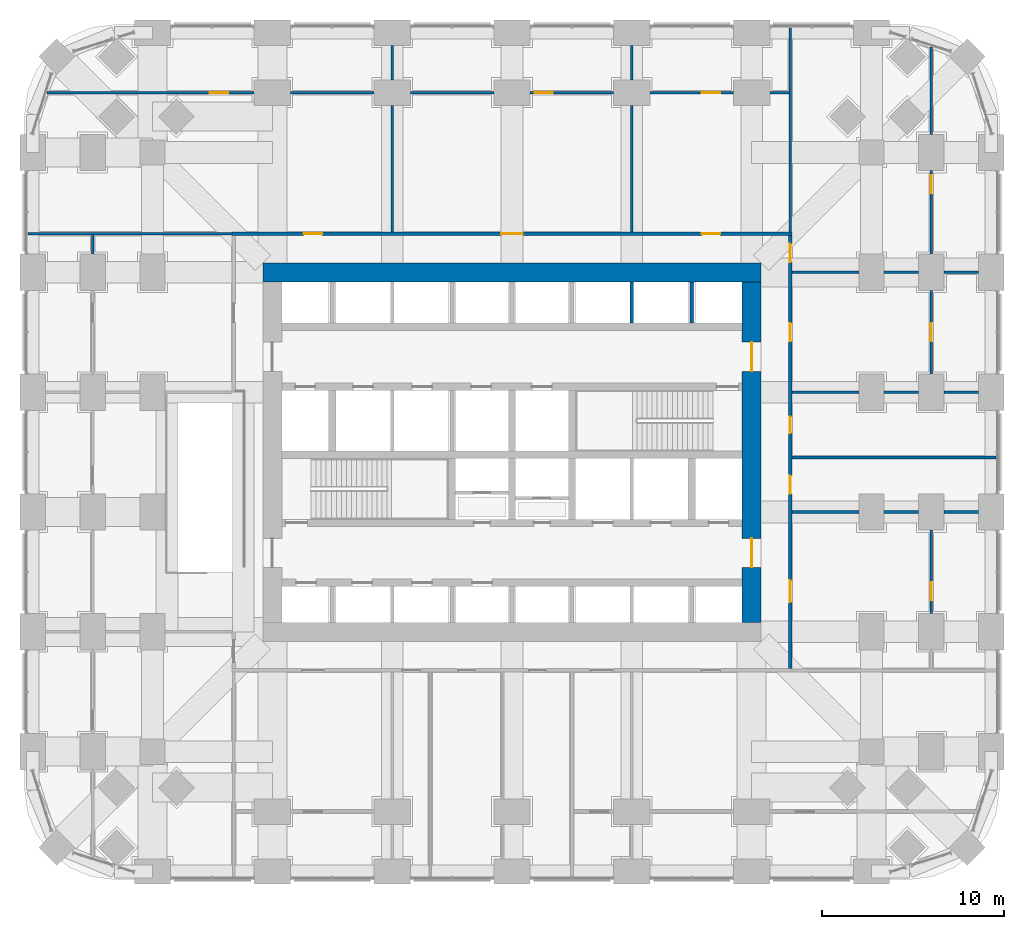
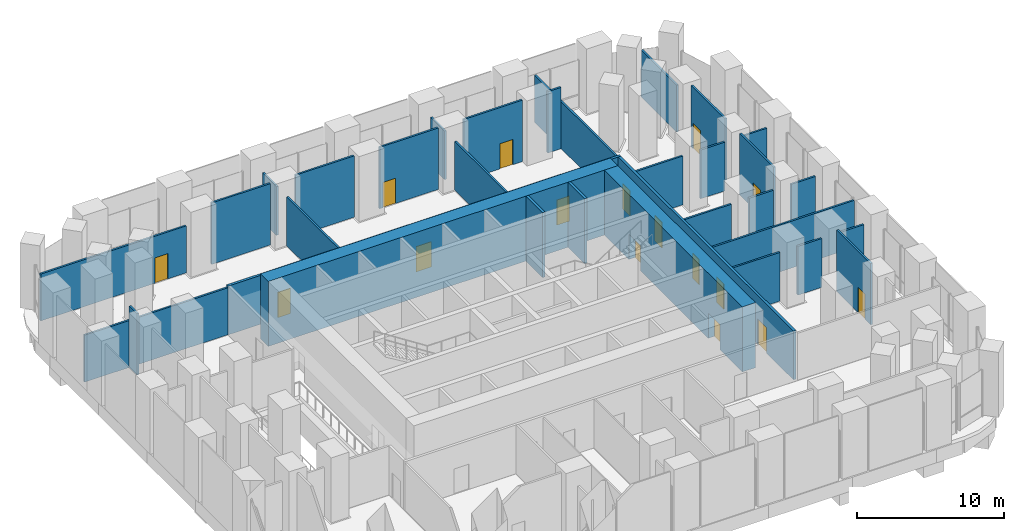
# One storey, part 13 of 17: 33 walls, 16 doors, 16 openings.
"""IFC4 building model written with IfcOpenShell, lengths in metres."""

from ifc_helpers import new_model, si_unit, direction, frame, frame_2d, origin, place, context, subcontext, project, spatial, rectangle, extrude, material, layer, layer_set, type_object, element, fill, save


model = new_model("IFC4")

# Units and contexts
model_context = context("Model", 3, precision=1e-05, world=origin(), true_north=direction((0.0, 1.0)))
body_context = subcontext(model_context, "Body", "Model", "MODEL_VIEW")
ifc_project = project(units=[si_unit("LENGTHUNIT", "METRE"), si_unit("AREAUNIT", "SQUARE_METRE"), si_unit("VOLUMEUNIT", "CUBIC_METRE"), si_unit("PLANEANGLEUNIT", "RADIAN"), si_unit("MASSUNIT", "GRAM", prefix="KILO")], contexts=[model_context])

# Site, building, storey
site_placement = place(None, origin())
site = spatial("IfcSite", under=ifc_project, at=site_placement, CompositionType="ELEMENT")
building_placement = place(site_placement, origin())
building = spatial("IfcBuilding", under=site, at=building_placement, Name="Cobogo Forest Laboratory Tower", CompositionType="ELEMENT")
storey_placement = place(building_placement, frame((0.0, 0.0, 7.199951171875)))
storey = spatial("IfcBuildingStorey", under=building, at=storey_placement, Name="L01", CompositionType="ELEMENT", Elevation=7.199951171875)

# Wall, openings, doors
ifc_material_1 = material(Name="Concrete HA-50 (C50/60)", Category="concrete")
ifc_layer_1 = layer(ifc_material_1, 1.050048828125)
ifc_layer_set_1 = layer_set([ifc_layer_1], Name="CW1050 core outer wall 1050")
wall_type_1 = type_object("IfcWallType", Name="CW1050 core outer wall 1050", PredefinedType="SHEAR", material=ifc_layer_set_1)
wall_1_placement = place(storey_placement, frame((39.60009765625, 13.72509765625, 0.0), z_axis=(0.0, 0.0, 1.0), x_axis=(0.0, 1.0, 0.0)))
wall_1 = element("IfcWall", 1, at=wall_1_placement, inside=storey, type_object=wall_type_1, Name="Core wall CO-E L01", PredefinedType="SHEAR", context=body_context, shape_type="SweptSolid", body=[
    extrude(rectangle(XDim=18.75, YDim=1.050048828125, at=frame_2d((9.375, 0.0))), origin(), (0.0, 0.0, 1.0), 5.400146484375),
])
opening_1_placement = place(wall_1_placement, frame((3.02490234375, 0.0, 0.0)))
opening_1 = element("IfcOpeningElement", 2, at=opening_1_placement, cuts=wall_1, Name="Opening L01-D15", PredefinedType="OPENING", context=body_context, shape_type="SweptSolid", body=[
    extrude(rectangle(XDim=1.60009765625, YDim=2.10009765625, at=frame_2d((0.800048828125, 1.050048828125))), frame((0.0, 0.534912109375, 0.0), z_axis=(0.0, -1.0, 0.0), x_axis=(1.0, 0.0, 0.0)), (0.0, 0.0, 1.0), 1.070068359375),
])
opening_2_placement = place(wall_1_placement, frame((13.824951171875, 0.0, 0.0)))
opening_2 = element("IfcOpeningElement", 3, at=opening_2_placement, cuts=wall_1, Name="Opening L01-D26", PredefinedType="OPENING", context=body_context, shape_type="SweptSolid", body=[
    extrude(rectangle(XDim=1.60009765625, YDim=2.10009765625, at=frame_2d((0.800048828125, 1.050048828125))), frame((0.0, 0.534912109375, 0.0), z_axis=(0.0, -1.0, 0.0), x_axis=(1.0, 0.0, 0.0)), (0.0, 0.0, 1.0), 1.070068359375),
])
ifc_material_2 = material(Name="Steel fire door", Category="steel")
door_type_1 = type_object("IfcDoorType", Name="DS2 protected lobby door pair 1600 EI2 60", OperationType="DOUBLE_DOOR_DOUBLE_SWING", PredefinedType="DOOR", material=ifc_material_2)
door_1_placement = place(opening_1_placement, origin())
door_1 = element("IfcDoor", 4, at=door_1_placement, inside=storey, type_object=door_type_1, Name="Door L01-CO-E-S", OperationType="DOUBLE_DOOR_DOUBLE_SWING", OverallHeight=2.10009765625, OverallWidth=1.60009765625, PredefinedType="DOOR", context=body_context, shape_type="SweptSolid", body=[
    extrude(rectangle(XDim=1.60009765625, YDim=2.10009765625, at=frame_2d((0.800048828125, 1.050048828125))), frame((0.0, 0.02490234375, 0.0), z_axis=(0.0, -1.0, 0.0), x_axis=(1.0, 0.0, 0.0)), (0.0, 0.0, 1.0), 0.050048828125),
])
fill(opening_1, door_1)
door_2_placement = place(opening_2_placement, origin())
door_2 = element("IfcDoor", 5, at=door_2_placement, inside=storey, type_object=door_type_1, Name="Door L01-CO-E-N", OperationType="DOUBLE_DOOR_DOUBLE_SWING", OverallHeight=2.10009765625, OverallWidth=1.60009765625, PredefinedType="DOOR", context=body_context, shape_type="SweptSolid", body=[
    extrude(rectangle(XDim=1.60009765625, YDim=2.10009765625, at=frame_2d((0.800048828125, 1.050048828125))), frame((0.0, 0.02490234375, 0.0), z_axis=(0.0, -1.0, 0.0), x_axis=(1.0, 0.0, 0.0)), (0.0, 0.0, 1.0), 0.050048828125),
])
fill(opening_2, door_2)

# Walls
wall_2_placement = place(storey_placement, frame((40.125, 33.0, 0.0), z_axis=(0.0, 0.0, 1.0), x_axis=(-1.0, 0.0, 0.0)))
element("IfcWall", 6, at=wall_2_placement, inside=storey, type_object=wall_type_1, Name="Core wall CO-N L01", PredefinedType="SHEAR", context=body_context, shape_type="SweptSolid", body=[
    extrude(rectangle(XDim=27.449951171875, YDim=1.050048828125, at=frame_2d((13.72509765625, 0.0))), origin(), (0.0, 0.0, 1.0), 5.400146484375),
])
ifc_material_3 = material(Name="Gypsum board on steel studs", Category="steel")
ifc_layer_2 = layer(ifc_material_3, 0.14990234375)
ifc_layer_set_2 = layer_set([ifc_layer_2], Name="PT1 laboratory partition 150")
wall_type_2 = type_object("IfcWallType", Name="PT1 laboratory partition 150", PredefinedType="PARTITIONING", material=ifc_layer_set_2)
wall_3_placement = place(storey_placement, frame((41.72509765625, 46.469970703125, 0.0), z_axis=(0.0, 0.0, 1.0), x_axis=(0.0, -1.0, 0.0)))
element("IfcWall", 7, at=wall_3_placement, inside=storey, type_object=wall_type_2, Name="Partition PW-NE L01", PredefinedType="PARTITIONING", context=body_context, shape_type="SweptSolid", body=[
    extrude(rectangle(XDim=11.244873046875, YDim=0.14990234375, at=frame_2d((5.62255859375, 0.0))), origin(), (0.0, 0.0, 1.0), 3.900146484375),
])
wall_4_placement = place(storey_placement, frame((-0.27001953125, 35.125, 0.0), z_axis=(0.0, 0.0, 1.0), x_axis=(1.0, 0.0, 0.0)))
element("IfcWall", 8, at=wall_4_placement, inside=storey, type_object=wall_type_2, Name="Partition PW-NW L01", PredefinedType="PARTITIONING", context=body_context, shape_type="SweptSolid", body=[
    extrude(rectangle(XDim=11.2451171875, YDim=0.14990234375, at=frame_2d((5.62255859375, 0.0))), origin(), (0.0, 0.0, 1.0), 3.900146484375),
])

# Wall, opening, door
wall_5_placement = place(storey_placement, frame((49.5, 14.199951171875, 0.0), z_axis=(0.0, 0.0, 1.0), x_axis=(0.0, 1.0, 0.0)))
wall_5 = element("IfcWall", 9, at=wall_5_placement, inside=storey, type_object=wall_type_2, Name="Partition STRIP-E-2 L01", PredefinedType="PARTITIONING", context=body_context, shape_type="SweptSolid", body=[
    extrude(rectangle(XDim=4.60009765625, YDim=0.14990234375, at=frame_2d((2.300048828125, 0.0))), origin(), (0.0, 0.0, 1.0), 5.10009765625),
])
opening_3_placement = place(wall_5_placement, frame((0.737548828125, 0.0, 0.0)))
opening_3 = element("IfcOpeningElement", 10, at=opening_3_placement, cuts=wall_5, Name="Opening L01-D13", PredefinedType="OPENING", context=body_context, shape_type="SweptSolid", body=[
    extrude(rectangle(XDim=1.0, YDim=2.10009765625, at=frame_2d((0.5, 1.050048828125))), frame((0.0, 0.0849609375, 0.0), z_axis=(0.0, -1.0, 0.0), x_axis=(1.0, 0.0, 0.0)), (0.0, 0.0, 1.0), 0.169921875),
])
ifc_material_4 = material(Name="Timber fire door", Category="wood")
door_type_2 = type_object("IfcDoorType", Name="FD2 fire door 1000 EI2 30", OperationType="SINGLE_SWING_LEFT", PredefinedType="DOOR", material=ifc_material_4)
door_3_placement = place(opening_3_placement, origin())
door_3 = element("IfcDoor", 11, at=door_3_placement, inside=storey, type_object=door_type_2, Name="Door L01-E1W", OperationType="SINGLE_SWING_LEFT", OverallHeight=2.10009765625, OverallWidth=1.0, PredefinedType="DOOR", context=body_context, shape_type="SweptSolid", body=[
    extrude(rectangle(XDim=1.0, YDim=2.10009765625, at=frame_2d((0.5, 1.050048828125))), frame((0.0, 0.02490234375, 0.0), z_axis=(0.0, -1.0, 0.0), x_axis=(1.0, 0.0, 0.0)), (0.0, 0.0, 1.0), 0.050048828125),
])
fill(opening_3, door_3)

wall_6_placement = place(storey_placement, frame((49.5, 27.39990234375, 0.0), z_axis=(0.0, 0.0, 1.0), x_axis=(0.0, 1.0, 0.0)))
wall_6 = element("IfcWall", 12, at=wall_6_placement, inside=storey, type_object=wall_type_2, Name="Partition STRIP-E-3 L01", PredefinedType="PARTITIONING", context=body_context, shape_type="SweptSolid", body=[
    extrude(rectangle(XDim=4.60009765625, YDim=0.14990234375, at=frame_2d((2.300048828125, 0.0))), origin(), (0.0, 0.0, 1.0), 5.10009765625),
])
opening_4_placement = place(wall_6_placement, frame((1.800048828125, 0.0, 0.0)))
opening_4 = element("IfcOpeningElement", 13, at=opening_4_placement, cuts=wall_6, Name="Opening L01-D28", PredefinedType="OPENING", context=body_context, shape_type="SweptSolid", body=[
    extrude(rectangle(XDim=1.0, YDim=2.10009765625, at=frame_2d((0.5, 1.050048828125))), frame((0.0, 0.0849609375, 0.0), z_axis=(0.0, -1.0, 0.0), x_axis=(1.0, 0.0, 0.0)), (0.0, 0.0, 1.0), 0.169921875),
])
door_4_placement = place(opening_4_placement, origin())
door_4 = element("IfcDoor", 14, at=door_4_placement, inside=storey, type_object=door_type_2, Name="Door L01-E2W", OperationType="SINGLE_SWING_RIGHT", OverallHeight=2.10009765625, OverallWidth=1.0, PredefinedType="DOOR", context=body_context, shape_type="SweptSolid", body=[
    extrude(rectangle(XDim=1.0, YDim=2.10009765625, at=frame_2d((0.5, 1.050048828125))), frame((0.0, 0.02490234375, 0.0), z_axis=(0.0, -1.0, 0.0), x_axis=(1.0, 0.0, 0.0)), (0.0, 0.0, 1.0), 0.050048828125),
])
fill(opening_4, door_4)

wall_7_placement = place(storey_placement, frame((49.5, 34.0, 0.0), z_axis=(0.0, 0.0, 1.0), x_axis=(0.0, 1.0, 0.0)))
wall_7 = element("IfcWall", 15, at=wall_7_placement, inside=storey, type_object=wall_type_2, Name="Partition STRIP-E-4 L01", PredefinedType="PARTITIONING", context=body_context, shape_type="SweptSolid", body=[
    extrude(rectangle(XDim=4.60009765625, YDim=0.14990234375, at=frame_2d((2.300048828125, 0.0))), origin(), (0.0, 0.0, 1.0), 5.10009765625),
])
opening_5_placement = place(wall_7_placement, frame((3.35009765625, 0.0, 0.0)))
opening_5 = element("IfcOpeningElement", 16, at=opening_5_placement, cuts=wall_7, Name="Opening L01-D35", PredefinedType="OPENING", context=body_context, shape_type="SweptSolid", body=[
    extrude(rectangle(XDim=1.0, YDim=2.10009765625, at=frame_2d((0.5, 1.050048828125))), frame((0.0, 0.0849609375, 0.0), z_axis=(0.0, -1.0, 0.0), x_axis=(1.0, 0.0, 0.0)), (0.0, 0.0, 1.0), 0.169921875),
])
door_5_placement = place(opening_5_placement, origin())
door_5 = element("IfcDoor", 17, at=door_5_placement, inside=storey, type_object=door_type_2, Name="Door L01-E3W", OperationType="SINGLE_SWING_RIGHT", OverallHeight=2.10009765625, OverallWidth=1.0, PredefinedType="DOOR", context=body_context, shape_type="SweptSolid", body=[
    extrude(rectangle(XDim=1.0, YDim=2.10009765625, at=frame_2d((0.5, 1.050048828125))), frame((0.0, 0.02490234375, 0.0), z_axis=(0.0, -1.0, 0.0), x_axis=(1.0, 0.0, 0.0)), (0.0, 0.0, 1.0), 0.050048828125),
])
fill(opening_5, door_5)

# Walls
wall_8_placement = place(storey_placement, frame((49.5, 40.60009765625, 0.0), z_axis=(0.0, 0.0, 1.0), x_axis=(0.0, 1.0, 0.0)))
element("IfcWall", 18, at=wall_8_placement, inside=storey, type_object=wall_type_2, Name="Partition STRIP-E-5 L01", PredefinedType="PARTITIONING", context=body_context, shape_type="SweptSolid", body=[
    extrude(rectangle(XDim=4.823974609375, YDim=0.14990234375, at=frame_2d((2.412109375, 0.0))), origin(), (0.0, 0.0, 1.0), 3.900146484375),
])
wall_9_placement = place(storey_placement, frame((53.070068359375, 22.800048828125, 0.0), z_axis=(0.0, 0.0, 1.0), x_axis=(-1.0, 0.0, 0.0)))
element("IfcWall", 19, at=wall_9_placement, inside=storey, type_object=wall_type_2, Name="Partition SVC-E1-1 L01", PredefinedType="PARTITIONING", context=body_context, shape_type="SweptSolid", body=[
    extrude(rectangle(XDim=11.2451171875, YDim=0.14990234375, at=frame_2d((5.62255859375, 0.0))), origin(), (0.0, 0.0, 1.0), 3.900146484375),
])
for number, where, z_axis, x_axis, name in (
    (20, (52.10009765625, 26.39990234375, 0.0), (0.0, 0.0, 1.0), (-1.0, 0.0, 0.0), "Partition SVC-E2-1 L01"),
    (21, (48.800048828125, 26.39990234375, 0.0), (0.0, 0.0, 1.0), (-1.0, 0.0, 0.0), "Partition SVC-E2-2 L01"),
):
    element("IfcWall", number, at=place(storey_placement, frame(where, z_axis=z_axis, x_axis=x_axis)), inside=storey, type_object=wall_type_2, Name=name, PredefinedType="PARTITIONING", context=body_context, shape_type="SweptSolid", body=[
        extrude(rectangle(XDim=1.900146484375, YDim=0.14990234375, at=frame_2d((0.9501953125, 0.0))), origin(), (0.0, 0.0, 1.0), 4.050048828125),
    ])
wall_10_placement = place(storey_placement, frame((45.5, 26.39990234375, 0.0), z_axis=(0.0, 0.0, 1.0), x_axis=(-1.0, 0.0, 0.0)))
element("IfcWall", 22, at=wall_10_placement, inside=storey, type_object=wall_type_2, Name="Partition SVC-E2-3 L01", PredefinedType="PARTITIONING", context=body_context, shape_type="SweptSolid", body=[
    extrude(rectangle(XDim=3.675048828125, YDim=0.14990234375, at=frame_2d((1.83740234375, 0.0))), origin(), (0.0, 0.0, 1.0), 4.050048828125),
])
for number, where, z_axis, x_axis, name in (
    (23, (52.10009765625, 19.800048828125, 0.0), (0.0, 0.0, 1.0), (-1.0, 0.0, 0.0), "Partition CUT-E19.8-1 L01"),
    (24, (48.800048828125, 19.800048828125, 0.0), (0.0, 0.0, 1.0), (-1.0, 0.0, 0.0), "Partition CUT-E19.8-2 L01"),
):
    element("IfcWall", number, at=place(storey_placement, frame(where, z_axis=z_axis, x_axis=x_axis)), inside=storey, type_object=wall_type_2, Name=name, PredefinedType="PARTITIONING", context=body_context, shape_type="SweptSolid", body=[
        extrude(rectangle(XDim=1.900146484375, YDim=0.14990234375, at=frame_2d((0.9501953125, 0.0))), origin(), (0.0, 0.0, 1.0), 4.050048828125),
    ])
wall_11_placement = place(storey_placement, frame((45.5, 19.800048828125, 0.0), z_axis=(0.0, 0.0, 1.0), x_axis=(-1.0, 0.0, 0.0)))
element("IfcWall", 25, at=wall_11_placement, inside=storey, type_object=wall_type_2, Name="Partition CUT-E19.8-3 L01", PredefinedType="PARTITIONING", context=body_context, shape_type="SweptSolid", body=[
    extrude(rectangle(XDim=3.675048828125, YDim=0.14990234375, at=frame_2d((1.83740234375, 0.0))), origin(), (0.0, 0.0, 1.0), 4.050048828125),
])
for number, where, z_axis, x_axis, name in (
    (26, (52.10009765625, 33.0, 0.0), (0.0, 0.0, 1.0), (-1.0, 0.0, 0.0), "Partition CUT-E33-1 L01"),
    (27, (48.800048828125, 33.0, 0.0), (0.0, 0.0, 1.0), (-1.0, 0.0, 0.0), "Partition CUT-E33-2 L01"),
):
    element("IfcWall", number, at=place(storey_placement, frame(where, z_axis=z_axis, x_axis=x_axis)), inside=storey, type_object=wall_type_2, Name=name, PredefinedType="PARTITIONING", context=body_context, shape_type="SweptSolid", body=[
        extrude(rectangle(XDim=1.900146484375, YDim=0.14990234375, at=frame_2d((0.9501953125, 0.0))), origin(), (0.0, 0.0, 1.0), 4.050048828125),
    ])
wall_12_placement = place(storey_placement, frame((45.5, 33.0, 0.0), z_axis=(0.0, 0.0, 1.0), x_axis=(-1.0, 0.0, 0.0)))
element("IfcWall", 28, at=wall_12_placement, inside=storey, type_object=wall_type_2, Name="Partition CUT-E33-3 L01", PredefinedType="PARTITIONING", context=body_context, shape_type="SweptSolid", body=[
    extrude(rectangle(XDim=3.675048828125, YDim=0.14990234375, at=frame_2d((1.83740234375, 0.0))), origin(), (0.0, 0.0, 1.0), 4.050048828125),
])
wall_13_placement = place(storey_placement, frame((41.64990234375, 42.89990234375, 0.0), z_axis=(0.0, 0.0, 1.0), x_axis=(-1.0, 0.0, 0.0)))
element("IfcWall", 29, at=wall_13_placement, inside=storey, type_object=wall_type_2, Name="Partition STRIP-N-1 L01", PredefinedType="PARTITIONING", context=body_context, shape_type="SweptSolid", body=[
    extrude(rectangle(XDim=1.0498046875, YDim=0.14990234375, at=frame_2d((0.52490234375, 0.0))), origin(), (0.0, 0.0, 1.0), 5.10009765625),
])

# Wall, opening, door
wall_14_placement = place(storey_placement, frame((38.60009765625, 42.89990234375, 0.0), z_axis=(0.0, 0.0, 1.0), x_axis=(-1.0, 0.0, 0.0)))
wall_14 = element("IfcWall", 30, at=wall_14_placement, inside=storey, type_object=wall_type_2, Name="Partition STRIP-N-2 L01", PredefinedType="PARTITIONING", context=body_context, shape_type="SweptSolid", body=[
    extrude(rectangle(XDim=4.60009765625, YDim=0.14990234375, at=frame_2d((2.300048828125, 0.0))), origin(), (0.0, 0.0, 1.0), 5.10009765625),
])
opening_6_placement = place(wall_14_placement, frame((0.737548828125, 0.0, 0.0)))
opening_6 = element("IfcOpeningElement", 31, at=opening_6_placement, cuts=wall_14, Name="Opening L01-D38", PredefinedType="OPENING", context=body_context, shape_type="SweptSolid", body=[
    extrude(rectangle(XDim=1.0, YDim=2.10009765625, at=frame_2d((0.5, 1.050048828125))), frame((0.0, 0.0849609375, 0.0), z_axis=(0.0, -1.0, 0.0), x_axis=(1.0, 0.0, 0.0)), (0.0, 0.0, 1.0), 0.169921875),
])
door_6_placement = place(opening_6_placement, origin())
door_6 = element("IfcDoor", 32, at=door_6_placement, inside=storey, type_object=door_type_2, Name="Door L01-N3W", OperationType="SINGLE_SWING_LEFT", OverallHeight=2.10009765625, OverallWidth=1.0, PredefinedType="DOOR", context=body_context, shape_type="SweptSolid", body=[
    extrude(rectangle(XDim=1.0, YDim=2.10009765625, at=frame_2d((0.5, 1.050048828125))), frame((0.0, 0.02490234375, 0.0), z_axis=(0.0, -1.0, 0.0), x_axis=(1.0, 0.0, 0.0)), (0.0, 0.0, 1.0), 0.050048828125),
])
fill(opening_6, door_6)

wall_15_placement = place(storey_placement, frame((32.0, 42.89990234375, 0.0), z_axis=(0.0, 0.0, 1.0), x_axis=(-1.0, 0.0, 0.0)))
wall_15 = element("IfcWall", 33, at=wall_15_placement, inside=storey, type_object=wall_type_2, Name="Partition STRIP-N-3 L01", PredefinedType="PARTITIONING", context=body_context, shape_type="SweptSolid", body=[
    extrude(rectangle(XDim=4.60009765625, YDim=0.14990234375, at=frame_2d((2.300048828125, 0.0))), origin(), (0.0, 0.0, 1.0), 5.10009765625),
])
opening_7_placement = place(wall_15_placement, frame((3.35009765625, 0.0, 0.0)))
opening_7 = element("IfcOpeningElement", 34, at=opening_7_placement, cuts=wall_15, Name="Opening L01-D37", PredefinedType="OPENING", context=body_context, shape_type="SweptSolid", body=[
    extrude(rectangle(XDim=1.0, YDim=2.10009765625, at=frame_2d((0.5, 1.050048828125))), frame((0.0, 0.0849609375, 0.0), z_axis=(0.0, -1.0, 0.0), x_axis=(1.0, 0.0, 0.0)), (0.0, 0.0, 1.0), 0.169921875),
])
door_7_placement = place(opening_7_placement, origin())
door_7 = element("IfcDoor", 35, at=door_7_placement, inside=storey, type_object=door_type_2, Name="Door L01-N2W", OperationType="SINGLE_SWING_RIGHT", OverallHeight=2.10009765625, OverallWidth=1.0, PredefinedType="DOOR", context=body_context, shape_type="SweptSolid", body=[
    extrude(rectangle(XDim=1.0, YDim=2.10009765625, at=frame_2d((0.5, 1.050048828125))), frame((0.0, 0.02490234375, 0.0), z_axis=(0.0, -1.0, 0.0), x_axis=(1.0, 0.0, 0.0)), (0.0, 0.0, 1.0), 0.050048828125),
])
fill(opening_7, door_7)

# Walls
wall_16_placement = place(storey_placement, frame((25.39990234375, 42.89990234375, 0.0), z_axis=(0.0, 0.0, 1.0), x_axis=(-1.0, 0.0, 0.0)))
element("IfcWall", 36, at=wall_16_placement, inside=storey, type_object=wall_type_2, Name="Partition STRIP-N-4 L01", PredefinedType="PARTITIONING", context=body_context, shape_type="SweptSolid", body=[
    extrude(rectangle(XDim=4.599853515625, YDim=0.14990234375, at=frame_2d((2.2998046875, 0.0))), origin(), (0.0, 0.0, 1.0), 5.10009765625),
])
wall_17_placement = place(storey_placement, frame((18.800048828125, 42.89990234375, 0.0), z_axis=(0.0, 0.0, 1.0), x_axis=(-1.0, 0.0, 0.0)))
element("IfcWall", 37, at=wall_17_placement, inside=storey, type_object=wall_type_2, Name="Partition STRIP-N-5 L01", PredefinedType="PARTITIONING", context=body_context, shape_type="SweptSolid", body=[
    extrude(rectangle(XDim=4.60009765625, YDim=0.14990234375, at=frame_2d((2.300048828125, 0.0))), origin(), (0.0, 0.0, 1.0), 5.10009765625),
])

# Wall, opening, door
wall_18_placement = place(storey_placement, frame((12.199951171875, 42.89990234375, 0.0), z_axis=(0.0, 0.0, 1.0), x_axis=(-1.0, 0.0, 0.0)))
wall_18 = element("IfcWall", 38, at=wall_18_placement, inside=storey, type_object=wall_type_2, Name="Partition STRIP-N-6 L01", PredefinedType="PARTITIONING", context=body_context, shape_type="SweptSolid", body=[
    extrude(rectangle(XDim=11.423828125, YDim=0.14990234375, at=frame_2d((5.7119140625, 0.0))), origin(), (0.0, 0.0, 1.0), 3.900146484375),
])
opening_8_placement = place(wall_18_placement, frame((1.442138671875, 0.0, 0.0)))
opening_8 = element("IfcOpeningElement", 39, at=opening_8_placement, cuts=wall_18, Name="Opening L01-D36", PredefinedType="OPENING", context=body_context, shape_type="SweptSolid", body=[
    extrude(rectangle(XDim=1.0, YDim=2.10009765625, at=frame_2d((0.5, 1.050048828125))), frame((0.0, 0.0849609375, 0.0), z_axis=(0.0, -1.0, 0.0), x_axis=(1.0, 0.0, 0.0)), (0.0, 0.0, 1.0), 0.169921875),
])
door_8_placement = place(opening_8_placement, origin())
door_8 = element("IfcDoor", 40, at=door_8_placement, inside=storey, type_object=door_type_2, Name="Door L01-N1W", OperationType="SINGLE_SWING_LEFT", OverallHeight=2.10009765625, OverallWidth=1.0, PredefinedType="DOOR", context=body_context, shape_type="SweptSolid", body=[
    extrude(rectangle(XDim=1.0, YDim=2.10009765625, at=frame_2d((0.5, 1.050048828125))), frame((0.0, 0.02490234375, 0.0), z_axis=(0.0, -1.0, 0.0), x_axis=(1.0, 0.0, 0.0)), (0.0, 0.0, 1.0), 0.050048828125),
])
fill(opening_8, door_8)

# Walls
wall_19_placement = place(storey_placement, frame((19.800048828125, 45.5, 0.0), z_axis=(0.0, 0.0, 1.0), x_axis=(0.0, -1.0, 0.0)))
element("IfcWall", 41, at=wall_19_placement, inside=storey, type_object=wall_type_2, Name="Partition CUT-N19.8a-1 L01", PredefinedType="PARTITIONING", context=body_context, shape_type="SweptSolid", body=[
    extrude(rectangle(XDim=1.89990234375, YDim=0.14990234375, at=frame_2d((0.949951171875, 0.0))), origin(), (0.0, 0.0, 1.0), 4.050048828125),
])
wall_20_placement = place(storey_placement, frame((19.800048828125, 42.199951171875, 0.0), z_axis=(0.0, 0.0, 1.0), x_axis=(0.0, -1.0, 0.0)))
element("IfcWall", 42, at=wall_20_placement, inside=storey, type_object=wall_type_2, Name="Partition CUT-N19.8b-1 L01", PredefinedType="PARTITIONING", context=body_context, shape_type="SweptSolid", body=[
    extrude(rectangle(XDim=6.974853515625, YDim=0.14990234375, at=frame_2d((3.4873046875, 0.0))), origin(), (0.0, 0.0, 1.0), 4.050048828125),
])
wall_21_placement = place(storey_placement, frame((33.0, 45.5, 0.0), z_axis=(0.0, 0.0, 1.0), x_axis=(0.0, -1.0, 0.0)))
element("IfcWall", 43, at=wall_21_placement, inside=storey, type_object=wall_type_2, Name="Partition CUT-N33a-1 L01", PredefinedType="PARTITIONING", context=body_context, shape_type="SweptSolid", body=[
    extrude(rectangle(XDim=1.89990234375, YDim=0.14990234375, at=frame_2d((0.949951171875, 0.0))), origin(), (0.0, 0.0, 1.0), 4.050048828125),
])
wall_22_placement = place(storey_placement, frame((33.0, 42.199951171875, 0.0), z_axis=(0.0, 0.0, 1.0), x_axis=(0.0, -1.0, 0.0)))
element("IfcWall", 44, at=wall_22_placement, inside=storey, type_object=wall_type_2, Name="Partition CUT-N33b-1 L01", PredefinedType="PARTITIONING", context=body_context, shape_type="SweptSolid", body=[
    extrude(rectangle(XDim=6.974853515625, YDim=0.14990234375, at=frame_2d((3.4873046875, 0.0))), origin(), (0.0, 0.0, 1.0), 4.050048828125),
])
wall_23_placement = place(storey_placement, frame((3.300048828125, 35.050048828125, 0.0), z_axis=(0.0, 0.0, 1.0), x_axis=(0.0, -1.0, 0.0)))
element("IfcWall", 45, at=wall_23_placement, inside=storey, type_object=wall_type_2, Name="Partition STRIP-W-1 L01", PredefinedType="PARTITIONING", context=body_context, shape_type="SweptSolid", body=[
    extrude(rectangle(XDim=1.050048828125, YDim=0.14990234375, at=frame_2d((0.52490234375, 0.0))), origin(), (0.0, 0.0, 1.0), 5.10009765625),
])

# Wall, openings, doors
ifc_layer_3 = layer(ifc_material_3, 0.199951171875)
ifc_layer_set_3 = layer_set([ifc_layer_3], Name="PT2 fire-rated corridor partition 200")
wall_type_3 = type_object("IfcWallType", Name="PT2 fire-rated corridor partition 200", PredefinedType="PARTITIONING", material=ifc_layer_set_3)
wall_24_placement = place(storey_placement, frame((10.97509765625, 35.125, 0.0), z_axis=(0.0, 0.0, 1.0), x_axis=(1.0, 0.0, 0.0)))
wall_24 = element("IfcWall", 46, at=wall_24_placement, inside=storey, type_object=wall_type_3, Name="Partition CORR-N L01", PredefinedType="PARTITIONING", context=body_context, shape_type="SweptSolid", body=[
    extrude(rectangle(XDim=30.849853515625, YDim=0.199951171875, at=frame_2d((15.4248046875, 0.0))), origin(), (0.0, 0.0, 1.0), 4.050048828125),
])
opening_9_placement = place(wall_24_placement, frame((3.96240234375, 0.0, 0.0)))
opening_9 = element("IfcOpeningElement", 47, at=opening_9_placement, cuts=wall_24, Name="Opening L01-D32", PredefinedType="OPENING", context=body_context, shape_type="SweptSolid", body=[
    extrude(rectangle(XDim=1.0, YDim=2.10009765625, at=frame_2d((0.5, 1.050048828125))), frame((0.0, 0.10986328125, 0.0), z_axis=(0.0, -1.0, 0.0), x_axis=(1.0, 0.0, 0.0)), (0.0, 0.0, 1.0), 0.219970703125),
])
opening_10_placement = place(wall_24_placement, frame((14.824951171875, 0.0, 0.0)))
opening_10 = element("IfcOpeningElement", 48, at=opening_10_placement, cuts=wall_24, Name="Opening L01-D33", PredefinedType="OPENING", context=body_context, shape_type="SweptSolid", body=[
    extrude(rectangle(XDim=1.199951171875, YDim=2.10009765625, at=frame_2d((0.60009765625, 1.050048828125))), frame((0.0, 0.10986328125, 0.0), z_axis=(0.0, -1.0, 0.0), x_axis=(1.0, 0.0, 0.0)), (0.0, 0.0, 1.0), 0.219970703125),
])
opening_11_placement = place(wall_24_placement, frame((25.887451171875, 0.0, 0.0)))
opening_11 = element("IfcOpeningElement", 49, at=opening_11_placement, cuts=wall_24, Name="Opening L01-D34", PredefinedType="OPENING", context=body_context, shape_type="SweptSolid", body=[
    extrude(rectangle(XDim=1.0, YDim=2.10009765625, at=frame_2d((0.5, 1.050048828125))), frame((0.0, 0.10986328125, 0.0), z_axis=(0.0, -1.0, 0.0), x_axis=(1.0, 0.0, 0.0)), (0.0, 0.0, 1.0), 0.219970703125),
])
ifc_material_5 = material(Name="Timber door", Category="wood")
door_type_3 = type_object("IfcDoorType", Name="D2 laboratory door 1200 unequal pair", OperationType="DOUBLE_DOOR_SINGLE_SWING", PredefinedType="DOOR", material=ifc_material_5)
door_9_placement = place(opening_10_placement, origin())
door_9 = element("IfcDoor", 50, at=door_9_placement, inside=storey, type_object=door_type_3, Name="Door L01-N2", OperationType="DOUBLE_DOOR_SINGLE_SWING", OverallHeight=2.10009765625, OverallWidth=1.199951171875, PredefinedType="DOOR", context=body_context, shape_type="SweptSolid", body=[
    extrude(rectangle(XDim=1.199951171875, YDim=2.10009765625, at=frame_2d((0.60009765625, 1.050048828125))), frame((0.0, 0.02490234375, 0.0), z_axis=(0.0, -1.0, 0.0), x_axis=(1.0, 0.0, 0.0)), (0.0, 0.0, 1.0), 0.050048828125),
])
fill(opening_10, door_9)
door_type_4 = type_object("IfcDoorType", Name="FD1 fire door 1000 EI2 60", OperationType="SINGLE_SWING_LEFT", PredefinedType="DOOR", material=ifc_material_2)
door_10_placement = place(opening_11_placement, origin())
door_10 = element("IfcDoor", 51, at=door_10_placement, inside=storey, type_object=door_type_4, Name="Door L01-N3", OperationType="SINGLE_SWING_RIGHT", OverallHeight=2.10009765625, OverallWidth=1.0, PredefinedType="DOOR", context=body_context, shape_type="SweptSolid", body=[
    extrude(rectangle(XDim=1.0, YDim=2.10009765625, at=frame_2d((0.5, 1.050048828125))), frame((0.0, 0.02490234375, 0.0), z_axis=(0.0, -1.0, 0.0), x_axis=(1.0, 0.0, 0.0)), (0.0, 0.0, 1.0), 0.050048828125),
])
fill(opening_11, door_10)
door_11_placement = place(opening_9_placement, origin())
door_11 = element("IfcDoor", 52, at=door_11_placement, inside=storey, type_object=door_type_2, Name="Door L01-N1", OperationType="SINGLE_SWING_LEFT", OverallHeight=2.10009765625, OverallWidth=1.0, PredefinedType="DOOR", context=body_context, shape_type="SweptSolid", body=[
    extrude(rectangle(XDim=1.0, YDim=2.10009765625, at=frame_2d((0.5, 1.050048828125))), frame((0.0, 0.02490234375, 0.0), z_axis=(0.0, -1.0, 0.0), x_axis=(1.0, 0.0, 0.0)), (0.0, 0.0, 1.0), 0.050048828125),
])
fill(opening_9, door_11)

wall_25_placement = place(storey_placement, frame((41.72509765625, 11.175048828125, 0.0), z_axis=(0.0, 0.0, 1.0), x_axis=(0.0, 1.0, 0.0)))
wall_25 = element("IfcWall", 53, at=wall_25_placement, inside=storey, type_object=wall_type_3, Name="Partition CORR-E L01", PredefinedType="PARTITIONING", context=body_context, shape_type="SweptSolid", body=[
    extrude(rectangle(XDim=23.849853515625, YDim=0.199951171875, at=frame_2d((11.9248046875, 0.0))), origin(), (0.0, 0.0, 1.0), 4.050048828125),
])
opening_12_placement = place(wall_25_placement, frame((3.66259765625, 0.0, 0.0)))
opening_12 = element("IfcOpeningElement", 54, at=opening_12_placement, cuts=wall_25, Name="Opening L01-D12", PredefinedType="OPENING", context=body_context, shape_type="SweptSolid", body=[
    extrude(rectangle(XDim=1.199951171875, YDim=2.10009765625, at=frame_2d((0.60009765625, 1.050048828125))), frame((0.0, 0.10986328125, 0.0), z_axis=(0.0, -1.0, 0.0), x_axis=(1.0, 0.0, 0.0)), (0.0, 0.0, 1.0), 0.219970703125),
])
opening_13_placement = place(wall_25_placement, frame((9.625, 0.0, 0.0)))
opening_13 = element("IfcOpeningElement", 55, at=opening_13_placement, cuts=wall_25, Name="Opening L01-D21", PredefinedType="OPENING", context=body_context, shape_type="SweptSolid", body=[
    extrude(rectangle(XDim=1.0, YDim=2.10009765625, at=frame_2d((0.5, 1.050048828125))), frame((0.0, 0.10986328125, 0.0), z_axis=(0.0, -1.0, 0.0), x_axis=(1.0, 0.0, 0.0)), (0.0, 0.0, 1.0), 0.219970703125),
])
opening_14_placement = place(wall_25_placement, frame((12.97509765625, 0.0, 0.0)))
opening_14 = element("IfcOpeningElement", 56, at=opening_14_placement, cuts=wall_25, Name="Opening L01-D23", PredefinedType="OPENING", context=body_context, shape_type="SweptSolid", body=[
    extrude(rectangle(XDim=0.89990234375, YDim=2.10009765625, at=frame_2d((0.449951171875, 1.050048828125))), frame((0.0, 0.10986328125, 0.0), z_axis=(0.0, -1.0, 0.0), x_axis=(1.0, 0.0, 0.0)), (0.0, 0.0, 1.0), 0.219970703125),
])
opening_15_placement = place(wall_25_placement, frame((18.02490234375, 0.0, 0.0)))
opening_15 = element("IfcOpeningElement", 57, at=opening_15_placement, cuts=wall_25, Name="Opening L01-D27", PredefinedType="OPENING", context=body_context, shape_type="SweptSolid", body=[
    extrude(rectangle(XDim=1.0, YDim=2.10009765625, at=frame_2d((0.5, 1.050048828125))), frame((0.0, 0.10986328125, 0.0), z_axis=(0.0, -1.0, 0.0), x_axis=(1.0, 0.0, 0.0)), (0.0, 0.0, 1.0), 0.219970703125),
])
opening_16_placement = place(wall_25_placement, frame((22.387451171875, 0.0, 0.0)))
opening_16 = element("IfcOpeningElement", 58, at=opening_16_placement, cuts=wall_25, Name="Opening L01-D31", PredefinedType="OPENING", context=body_context, shape_type="SweptSolid", body=[
    extrude(rectangle(XDim=1.0, YDim=2.10009765625, at=frame_2d((0.5, 1.050048828125))), frame((0.0, 0.10986328125, 0.0), z_axis=(0.0, -1.0, 0.0), x_axis=(1.0, 0.0, 0.0)), (0.0, 0.0, 1.0), 0.219970703125),
])
door_12_placement = place(opening_12_placement, origin())
door_12 = element("IfcDoor", 59, at=door_12_placement, inside=storey, type_object=door_type_3, Name="Door L01-E1", OperationType="DOUBLE_DOOR_SINGLE_SWING", OverallHeight=2.10009765625, OverallWidth=1.199951171875, PredefinedType="DOOR", context=body_context, shape_type="SweptSolid", body=[
    extrude(rectangle(XDim=1.199951171875, YDim=2.10009765625, at=frame_2d((0.60009765625, 1.050048828125))), frame((0.0, 0.02490234375, 0.0), z_axis=(0.0, -1.0, 0.0), x_axis=(1.0, 0.0, 0.0)), (0.0, 0.0, 1.0), 0.050048828125),
])
fill(opening_12, door_12)
door_13_placement = place(opening_13_placement, origin())
door_13 = element("IfcDoor", 60, at=door_13_placement, inside=storey, type_object=door_type_4, Name="Door L01-ELEC", OperationType="SINGLE_SWING_LEFT", OverallHeight=2.10009765625, OverallWidth=1.0, PredefinedType="DOOR", context=body_context, shape_type="SweptSolid", body=[
    extrude(rectangle(XDim=1.0, YDim=2.10009765625, at=frame_2d((0.5, 1.050048828125))), frame((0.0, 0.02490234375, 0.0), z_axis=(0.0, -1.0, 0.0), x_axis=(1.0, 0.0, 0.0)), (0.0, 0.0, 1.0), 0.050048828125),
])
fill(opening_13, door_13)
door_14_placement = place(opening_15_placement, origin())
door_14 = element("IfcDoor", 61, at=door_14_placement, inside=storey, type_object=door_type_2, Name="Door L01-E2", OperationType="SINGLE_SWING_RIGHT", OverallHeight=2.10009765625, OverallWidth=1.0, PredefinedType="DOOR", context=body_context, shape_type="SweptSolid", body=[
    extrude(rectangle(XDim=1.0, YDim=2.10009765625, at=frame_2d((0.5, 1.050048828125))), frame((0.0, 0.02490234375, 0.0), z_axis=(0.0, -1.0, 0.0), x_axis=(1.0, 0.0, 0.0)), (0.0, 0.0, 1.0), 0.050048828125),
])
fill(opening_15, door_14)
door_15_placement = place(opening_16_placement, origin())
door_15 = element("IfcDoor", 62, at=door_15_placement, inside=storey, type_object=door_type_2, Name="Door L01-E3", OperationType="SINGLE_SWING_RIGHT", OverallHeight=2.10009765625, OverallWidth=1.0, PredefinedType="DOOR", context=body_context, shape_type="SweptSolid", body=[
    extrude(rectangle(XDim=1.0, YDim=2.10009765625, at=frame_2d((0.5, 1.050048828125))), frame((0.0, 0.02490234375, 0.0), z_axis=(0.0, -1.0, 0.0), x_axis=(1.0, 0.0, 0.0)), (0.0, 0.0, 1.0), 0.050048828125),
])
fill(opening_16, door_15)
door_type_5 = type_object("IfcDoorType", Name="FD4 riser access door 900 EI2 60", OperationType="SINGLE_SWING_LEFT", PredefinedType="DOOR", material=ifc_material_2)
door_16_placement = place(opening_14_placement, origin())
door_16 = element("IfcDoor", 63, at=door_16_placement, inside=storey, type_object=door_type_5, Name="Door L01-COMMS", OperationType="SINGLE_SWING_RIGHT", OverallHeight=2.10009765625, OverallWidth=0.89990234375, PredefinedType="DOOR", context=body_context, shape_type="SweptSolid", body=[
    extrude(rectangle(XDim=0.89990234375, YDim=2.10009765625, at=frame_2d((0.449951171875, 1.050048828125))), frame((0.0, 0.02490234375, 0.0), z_axis=(0.0, -1.0, 0.0), x_axis=(1.0, 0.0, 0.0)), (0.0, 0.0, 1.0), 0.050048828125),
])
fill(opening_14, door_16)

# Walls
ifc_material_6 = material(Name="Concrete block", Category="concrete")
ifc_layer_4 = layer(ifc_material_6, 0.199951171875)
ifc_layer_set_4 = layer_set([ifc_layer_4], Name="SW200 lift shaft separator 200")
wall_type_4 = type_object("IfcWallType", Name="SW200 lift shaft separator 200", PredefinedType="PARTITIONING", material=ifc_layer_set_4)
for number, where, z_axis, x_axis, name in (
    (64, (33.0, 30.199951171875, 0.0), (0.0, 0.0, 1.0), (0.0, 1.0, 0.0), "Core wall SEP-N6 L01"),
    (65, (36.300048828125, 30.199951171875, 0.0), (0.0, 0.0, 1.0), (0.0, 1.0, 0.0), "Core wall SEP-N7 L01"),
):
    element("IfcWall", number, at=place(storey_placement, frame(where, z_axis=z_axis, x_axis=x_axis)), inside=storey, type_object=wall_type_4, Name=name, PredefinedType="PARTITIONING", context=body_context, shape_type="SweptSolid", body=[
        extrude(rectangle(XDim=2.275146484375, YDim=0.199951171875, at=frame_2d((1.1376953125, 0.0))), origin(), (0.0, 0.0, 1.0), 5.400146484375),
    ])

save(model, "model.ifc")
